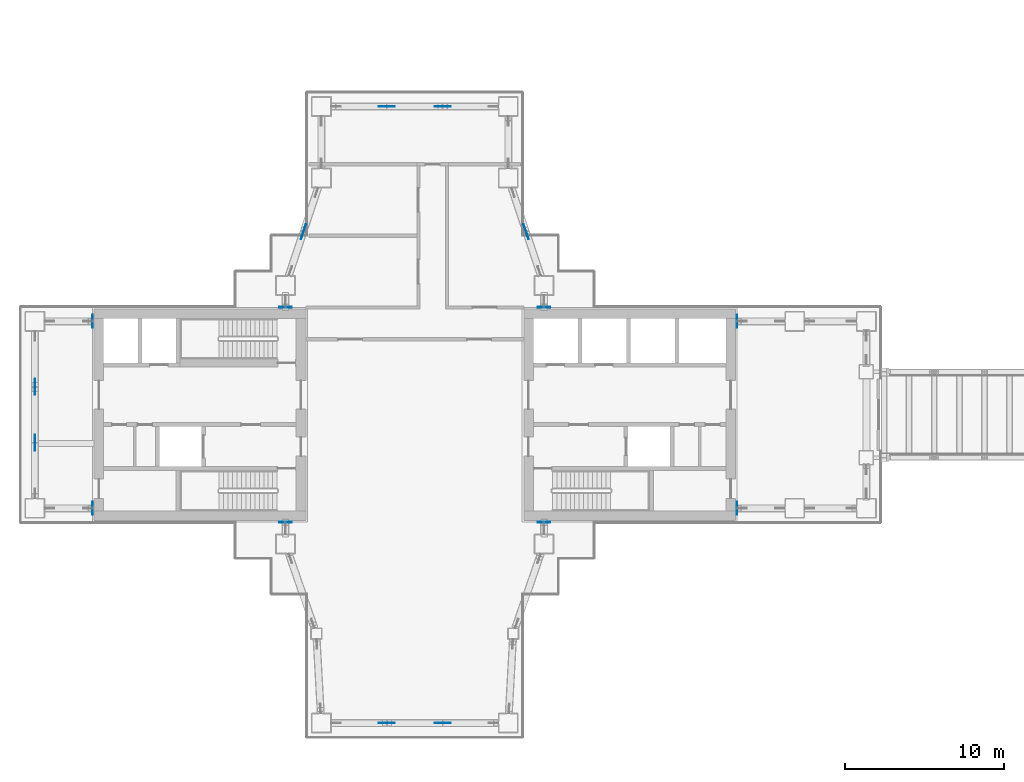
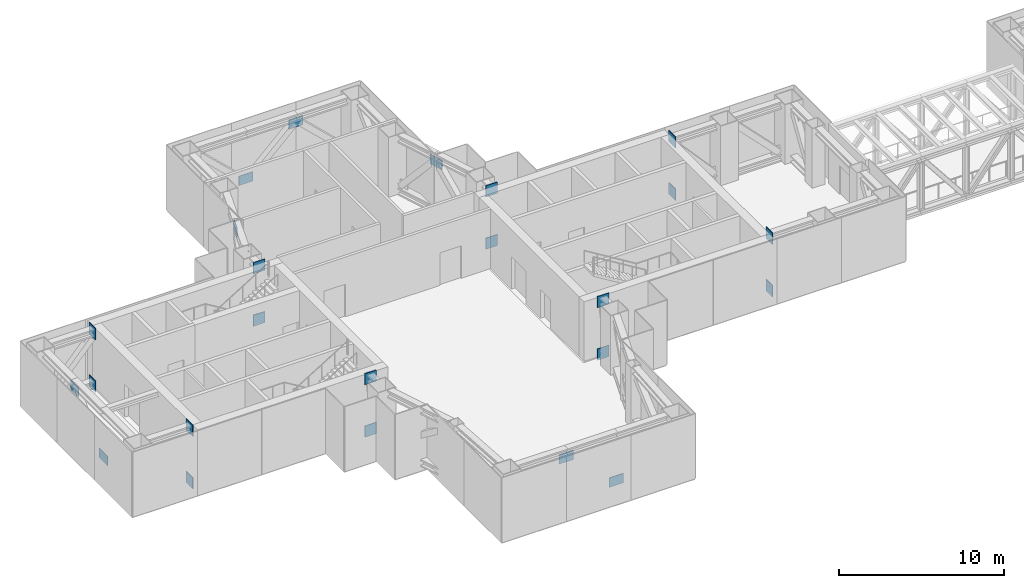
# One storey, part 14 of 21: 24 discrete accessories.
"""IFC4 building model written with IfcOpenShell, lengths in metres."""

from ifc_helpers import new_model, si_unit, direction, frame, origin, origin_2d, place, context, subcontext, project, spatial, rectangle, extrude, material, layer, layer_set, type_object, element, save


model = new_model("IFC4")

# Units and contexts
model_context = context("Model", 3, precision=1e-05, world=origin(), true_north=direction((0.0, 1.0)))
body_context = subcontext(model_context, "Body", "Model", "MODEL_VIEW")
ifc_project = project(units=[si_unit("LENGTHUNIT", "METRE"), si_unit("AREAUNIT", "SQUARE_METRE"), si_unit("VOLUMEUNIT", "CUBIC_METRE"), si_unit("PLANEANGLEUNIT", "RADIAN"), si_unit("MASSUNIT", "GRAM", prefix="KILO")], contexts=[model_context])

# Site, building, storey
site_placement = place(None, origin())
site = spatial("IfcSite", under=ifc_project, at=site_placement, CompositionType="ELEMENT")
building_placement = place(site_placement, origin())
building = spatial("IfcBuilding", under=site, at=building_placement, Name="Shamsa Quay Exchange Towers", CompositionType="ELEMENT")
storey_placement = place(building_placement, frame((0.0, 0.0, 128.699951171875)))
storey = spatial("IfcBuildingStorey", under=building, at=storey_placement, Name="L30", CompositionType="ELEMENT", Elevation=128.699951171875)

# Discrete accessories
ifc_material = material(Name="Steel S355", Category="steel")
ifc_layer_1 = layer(ifc_material, 0.050048828125)
ifc_layer_set_1 = layer_set([ifc_layer_1], Name="Cast-in plate 50x800x831")
discrete_accessory_type_1 = type_object("IfcDiscreteAccessoryType", Name="Cast-in plate 50x800x831", PredefinedType="ANCHORPLATE", material=ifc_layer_set_1)
for number, where, name in (
    (1, (-54.0, -5.875, 3.71875), "Cast-in plate T1 L30"),
    (2, (-54.0, -5.875, -0.14990234375), "Cast-in plate T1 L30"),
):
    element("IfcDiscreteAccessory", number, at=place(storey_placement, frame(where)), inside=storey, type_object=discrete_accessory_type_1, Name=name, PredefinedType="ANCHORPLATE", context=body_context, shape_type="SweptSolid", body=[
        extrude(rectangle(XDim=0.050048828125, YDim=0.800048828125, at=origin_2d()), origin(), (0.0, 0.0, 1.0), 0.831298828125),
    ])
for number, where, z_axis, x_axis, name in (
    (3, (-41.875, -6.75, 3.71875), (0.0, 0.0, 1.0), (0.0, 1.0, 0.0), "Cast-in plate T1 L30"),
    (4, (-41.875, -6.75, -0.14990234375), (0.0, 0.0, 1.0), (0.0, 1.0, 0.0), "Cast-in plate T1 L30"),
    (5, (-25.625, -6.75, 3.71875), (0.0, 0.0, 1.0), (0.0, 1.0, 0.0), "Cast-in plate T1 L30"),
    (6, (-25.625, -6.75, -0.14990234375), (0.0, 0.0, 1.0), (0.0, 1.0, 0.0), "Cast-in plate T1 L30"),
    (7, (-13.5, -5.875, 3.71875), (0.0, 0.0, 1.0), (-1.0, 0.0, 0.0), "Cast-in plate T1 L30"),
    (8, (-13.5, -5.875, -0.14990234375), (0.0, 0.0, 1.0), (-1.0, 0.0, 0.0), "Cast-in plate T1 L30"),
    (9, (-13.5, 5.875, 3.71875), (0.0, 0.0, 1.0), (-1.0, 0.0, 0.0), "Cast-in plate T1 L30"),
    (10, (-13.5, 5.875, -0.14990234375), (0.0, 0.0, 1.0), (-1.0, 0.0, 0.0), "Cast-in plate T1 L30"),
    (11, (-25.625, 6.75, 3.71875), (0.0, 0.0, 1.0), (0.0, -1.0, 0.0), "Cast-in plate T1 L30"),
    (12, (-25.625, 6.75, -0.14990234375), (0.0, 0.0, 1.0), (0.0, -1.0, 0.0), "Cast-in plate T1 L30"),
    (13, (-41.875, 6.75, 3.71875), (0.0, 0.0, 1.0), (0.0, -1.0, 0.0), "Cast-in plate T1 L30"),
    (14, (-41.875, 6.75, -0.14990234375), (0.0, 0.0, 1.0), (0.0, -1.0, 0.0), "Cast-in plate T1 L30"),
):
    element("IfcDiscreteAccessory", number, at=place(storey_placement, frame(where, z_axis=z_axis, x_axis=x_axis)), inside=storey, type_object=discrete_accessory_type_1, Name=name, PredefinedType="ANCHORPLATE", context=body_context, shape_type="SweptSolid", body=[
        extrude(rectangle(XDim=0.050048828125, YDim=0.800048828125, at=origin_2d()), origin(), (0.0, 0.0, 1.0), 0.831298828125),
    ])
for number, where, name in (
    (15, (-54.0, 5.875, 3.71875), "Cast-in plate T1 L30"),
    (16, (-54.0, 5.875, -0.14990234375), "Cast-in plate T1 L30"),
):
    element("IfcDiscreteAccessory", number, at=place(storey_placement, frame(where)), inside=storey, type_object=discrete_accessory_type_1, Name=name, PredefinedType="ANCHORPLATE", context=body_context, shape_type="SweptSolid", body=[
        extrude(rectangle(XDim=0.050048828125, YDim=0.800048828125, at=origin_2d()), origin(), (0.0, 0.0, 1.0), 0.831298828125),
    ])
ifc_layer_2 = layer(ifc_material, 0.0400390625)
ifc_layer_set_2 = layer_set([ifc_layer_2], Name="Gusset plate 1000x700x40")
discrete_accessory_type_2 = type_object("IfcDiscreteAccessoryType", Name="Gusset plate 1000x700x40", PredefinedType="BRACKET", material=ifc_layer_set_2)
for number, where, name in (
    (17, (-35.5, -19.375, 3.31884765625), "Gusset plate T1 L30"),
    (18, (-32.0, -19.375, 0.38134765625), "Gusset plate T1 L30"),
):
    element("IfcDiscreteAccessory", number, at=place(storey_placement, frame(where)), inside=storey, type_object=discrete_accessory_type_2, Name=name, PredefinedType="BRACKET", context=body_context, shape_type="SweptSolid", body=[
        extrude(rectangle(XDim=1.0, YDim=0.0400390625, at=origin_2d()), origin(), (0.0, 0.0, 1.0), 0.699951171875),
    ])
for number, where, z_axis, x_axis, name in (
    (19, (-26.75, 11.5, 3.31884765625), (0.0, 0.0, 1.0), (-0.316227766018, 0.94868329805, 0.0), "Gusset plate T1 L30"),
    (20, (-32.0, 19.375, 3.31884765625), (0.0, 0.0, 1.0), (-1.0, 0.0, 0.0), "Gusset plate T1 L30"),
    (21, (-35.5, 19.375, 0.38134765625), (0.0, 0.0, 1.0), (-1.0, 0.0, 0.0), "Gusset plate T1 L30"),
    (22, (-40.75, 11.5, 3.31884765625), (0.0, 0.0, 1.0), (-0.316227766018, -0.94868329805, 0.0), "Gusset plate T1 L30"),
    (23, (-57.625, 1.75, 3.31884765625), (0.0, 0.0, 1.0), (0.0, -1.0, 0.0), "Gusset plate T1 L30"),
    (24, (-57.625, -1.75, 0.38134765625), (0.0, 0.0, 1.0), (0.0, -1.0, 0.0), "Gusset plate T1 L30"),
):
    element("IfcDiscreteAccessory", number, at=place(storey_placement, frame(where, z_axis=z_axis, x_axis=x_axis)), inside=storey, type_object=discrete_accessory_type_2, Name=name, PredefinedType="BRACKET", context=body_context, shape_type="SweptSolid", body=[
        extrude(rectangle(XDim=1.0, YDim=0.0400390625, at=origin_2d()), origin(), (0.0, 0.0, 1.0), 0.699951171875),
    ])

save(model, "model.ifc")
